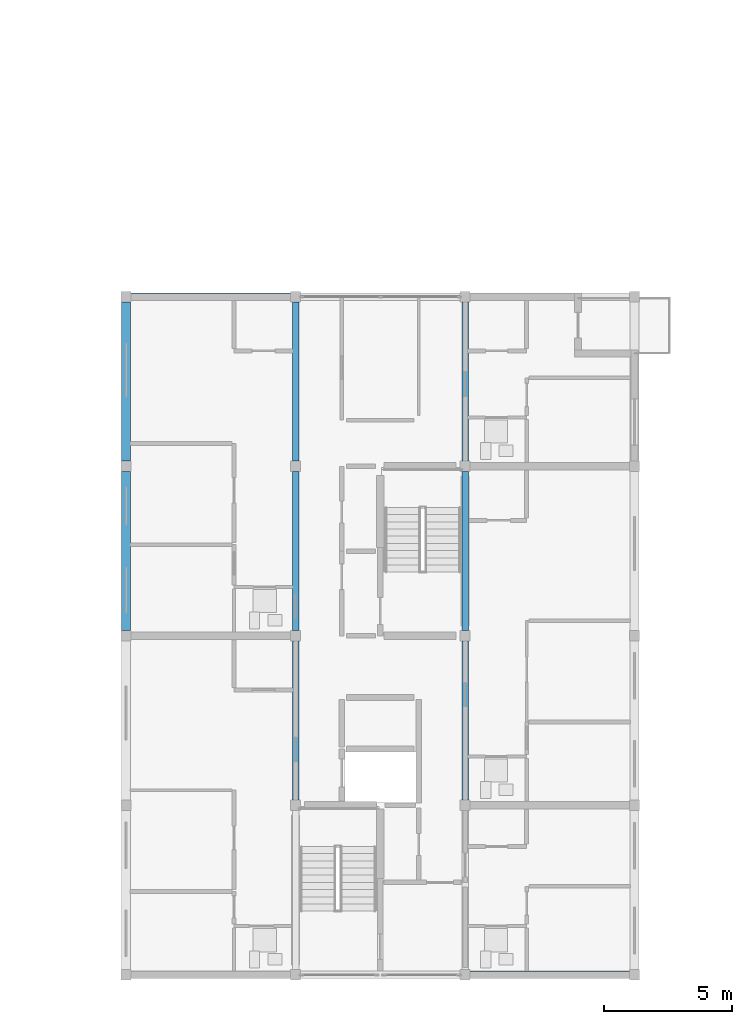
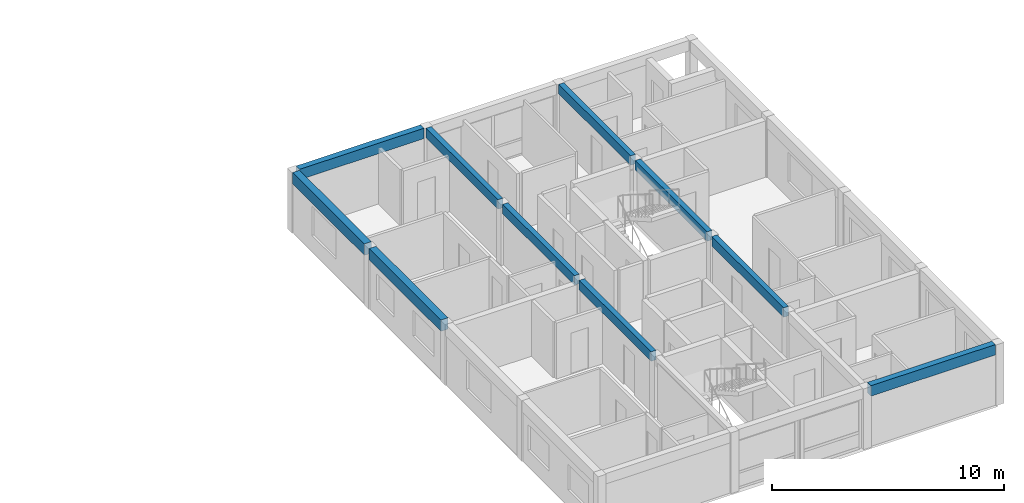
# One storey, part 6 of 34: 10 beams.
"""IFC4 building model written with IfcOpenShell, lengths in metres."""

from ifc_helpers import new_model, si_unit, direction, frame, origin, origin_2d, place, context, subcontext, project, spatial, rectangle, extrude, material, material_profile, profile_set, type_object, element, save


model = new_model("IFC4")

# Units and contexts
model_context = context("Model", 3, precision=1e-05, world=origin(), true_north=direction((0.0, 1.0)))
body_context = subcontext(model_context, "Body", "Model", "MODEL_VIEW")
ifc_project = project(units=[si_unit("LENGTHUNIT", "METRE"), si_unit("AREAUNIT", "SQUARE_METRE"), si_unit("VOLUMEUNIT", "CUBIC_METRE"), si_unit("PLANEANGLEUNIT", "RADIAN"), si_unit("MASSUNIT", "GRAM", prefix="KILO")], contexts=[model_context])

# Site, building, storey
site_placement = place(None, origin())
site = spatial("IfcSite", under=ifc_project, at=site_placement, CompositionType="ELEMENT")
building_placement = place(site_placement, origin())
building = spatial("IfcBuilding", under=site, at=building_placement, Name="Kernevlak Ridge Housing Community", CompositionType="ELEMENT")
storey_placement = place(building_placement, frame((0.0, 0.0, 34.0)))
storey = spatial("IfcBuildingStorey", under=building, at=storey_placement, Name="L10", CompositionType="ELEMENT", Elevation=34.0)

# Beams
ifc_material = material(Name="Concrete C35/45", Category="concrete")
ifc_material_profile_1 = material_profile(ifc_material, rectangle(XDim=0.25, YDim=0.5, at=origin_2d()), Name="RC 250x500")
ifc_profile_set_1 = profile_set([ifc_material_profile_1], Name="Concrete C35/45")
beam_type_1 = type_object("IfcBeamType", Name="B-06", PredefinedType="T_BEAM", material=ifc_profile_set_1)
beam_1_placement = place(storey_placement, frame((132.60009765625, 22.39990234375, 2.949951171875), z_axis=(0.0, 1.0, 0.0), x_axis=(-1.0, 0.0, 0.0)))
element("IfcBeam", 1, at=beam_1_placement, inside=storey, type_object=beam_type_1, Name="Beam B-06 L10 1227", PredefinedType="T_BEAM", context=body_context, shape_type="SweptSolid", body=[
    extrude(rectangle(XDim=0.25, YDim=0.5, at=origin_2d()), origin(), (0.0, 0.0, 1.0), 6.2001953125),
])
for number, where, z_axis, x_axis, name in (
    (2, (132.60009765625, 29.0, 2.949951171875), (0.0, 1.0, 0.0), (-1.0, 0.0, 0.0), "Beam B-06 L10 1228"),
    (3, (132.60009765625, 35.60009765625, 2.949951171875), (0.0, 1.0, 0.0), (-1.0, 0.0, 0.0), "Beam B-06 L10 1229"),
):
    element("IfcBeam", number, at=place(storey_placement, frame(where, z_axis=z_axis, x_axis=x_axis)), inside=storey, type_object=beam_type_1, Name=name, PredefinedType="T_BEAM", context=body_context, shape_type="SweptSolid", body=[
        extrude(rectangle(XDim=0.25, YDim=0.5, at=origin_2d()), origin(), (0.0, 0.0, 1.0), 6.199951171875),
    ])
beam_2_placement = place(storey_placement, frame((139.199951171875, 22.39990234375, 2.949951171875), z_axis=(0.0, 1.0, 0.0), x_axis=(-1.0, 0.0, 0.0)))
element("IfcBeam", 4, at=beam_2_placement, inside=storey, type_object=beam_type_1, Name="Beam B-06 L10 1231", PredefinedType="T_BEAM", context=body_context, shape_type="SweptSolid", body=[
    extrude(rectangle(XDim=0.25, YDim=0.5, at=origin_2d()), origin(), (0.0, 0.0, 1.0), 6.2001953125),
])
for number, where, z_axis, x_axis, name in (
    (5, (139.199951171875, 29.0, 2.949951171875), (0.0, 1.0, 0.0), (-1.0, 0.0, 0.0), "Beam B-06 L10 1232"),
    (6, (139.199951171875, 35.60009765625, 2.949951171875), (0.0, 1.0, 0.0), (-1.0, 0.0, 0.0), "Beam B-06 L10 1233"),
):
    element("IfcBeam", number, at=place(storey_placement, frame(where, z_axis=z_axis, x_axis=x_axis)), inside=storey, type_object=beam_type_1, Name=name, PredefinedType="T_BEAM", context=body_context, shape_type="SweptSolid", body=[
        extrude(rectangle(XDim=0.25, YDim=0.5, at=origin_2d()), origin(), (0.0, 0.0, 1.0), 6.199951171875),
    ])
ifc_material_profile_2 = material_profile(ifc_material, rectangle(XDim=0.300048828125, YDim=0.550048828125, at=origin_2d()), Name="RC 300x550")
ifc_profile_set_2 = profile_set([ifc_material_profile_2], Name="Concrete C35/45")
beam_type_2 = type_object("IfcBeamType", Name="SP-01", PredefinedType="SPANDREL", material=ifc_profile_set_2)
beam_3_placement = place(storey_placement, frame((139.39990234375, 15.60009765625, 2.925048828125), z_axis=(1.0, 0.0, 0.0), x_axis=(0.0, 1.0, 0.0)))
element("IfcBeam", 7, at=beam_3_placement, inside=storey, type_object=beam_type_2, Name="Beam SP-01 L10 1240", PredefinedType="SPANDREL", context=body_context, shape_type="SweptSolid", body=[
    extrude(rectangle(XDim=0.300048828125, YDim=0.550048828125, at=origin_2d()), origin(), (0.0, 0.0, 1.0), 6.2001953125),
])
beam_4_placement = place(storey_placement, frame((126.199951171875, 42.0, 2.925048828125), z_axis=(1.0, 0.0, 0.0), x_axis=(0.0, 1.0, 0.0)))
element("IfcBeam", 8, at=beam_4_placement, inside=storey, type_object=beam_type_2, Name="Beam SP-01 L10 1241", PredefinedType="SPANDREL", context=body_context, shape_type="SweptSolid", body=[
    extrude(rectangle(XDim=0.300048828125, YDim=0.550048828125, at=origin_2d()), origin(), (0.0, 0.0, 1.0), 6.199951171875),
])
ifc_material_profile_3 = material_profile(ifc_material, rectangle(XDim=0.35009765625, YDim=0.60009765625, at=origin_2d()), Name="RC 350x600")
ifc_profile_set_3 = profile_set([ifc_material_profile_3], Name="Concrete C35/45")
beam_type_3 = type_object("IfcBeamType", Name="SP-03", PredefinedType="SPANDREL", material=ifc_profile_set_3)
for number, where, z_axis, x_axis, name in (
    (9, (126.0, 29.0, 2.89990234375), (0.0, 1.0, 0.0), (-1.0, 0.0, 0.0), "Beam SP-03 L10 1224"),
    (10, (126.0, 35.60009765625, 2.89990234375), (0.0, 1.0, 0.0), (-1.0, 0.0, 0.0), "Beam SP-03 L10 1225"),
):
    element("IfcBeam", number, at=place(storey_placement, frame(where, z_axis=z_axis, x_axis=x_axis)), inside=storey, type_object=beam_type_3, Name=name, PredefinedType="SPANDREL", context=body_context, shape_type="SweptSolid", body=[
        extrude(rectangle(XDim=0.35009765625, YDim=0.60009765625, at=origin_2d()), origin(), (0.0, 0.0, 1.0), 6.199951171875),
    ])

save(model, "model.ifc")
